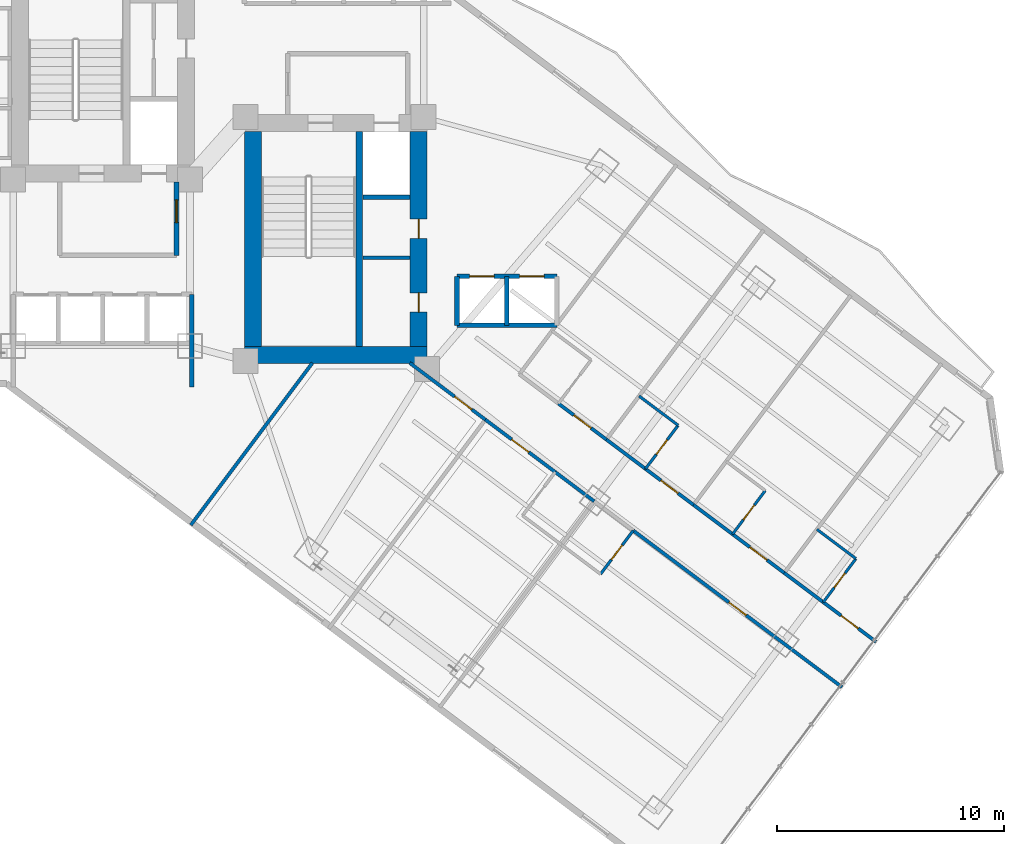
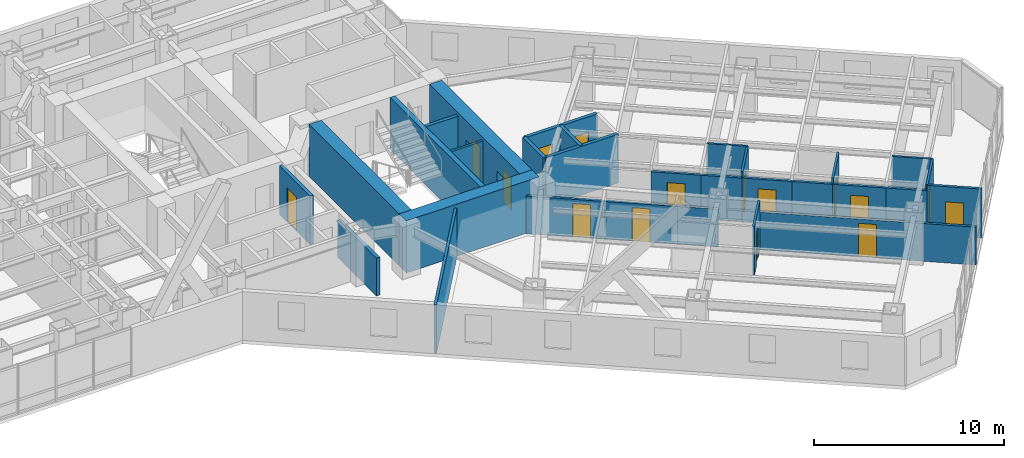
# One storey, part 24 of 33: 30 walls, 16 doors, 16 openings.
"""IFC4 building model written with IfcOpenShell, lengths in metres."""

from ifc_helpers import new_model, si_unit, direction, frame, frame_2d, origin, place, context, subcontext, project, spatial, rectangle, extrude, material, layer, layer_set, type_object, element, fill, save


model = new_model("IFC4")

# Units and contexts
model_context = context("Model", 3, precision=1e-05, world=origin(), true_north=direction((0.0, 1.0)))
body_context = subcontext(model_context, "Body", "Model", "MODEL_VIEW")
ifc_project = project(units=[si_unit("LENGTHUNIT", "METRE"), si_unit("AREAUNIT", "SQUARE_METRE"), si_unit("VOLUMEUNIT", "CUBIC_METRE"), si_unit("PLANEANGLEUNIT", "RADIAN"), si_unit("MASSUNIT", "GRAM", prefix="KILO")], contexts=[model_context])

# Site, building, storey
site_placement = place(None, origin())
site = spatial("IfcSite", under=ifc_project, at=site_placement, CompositionType="ELEMENT")
building_placement = place(site_placement, origin())
building = spatial("IfcBuilding", under=site, at=building_placement, Name="Hatsunagi Terrace Concourse", CompositionType="ELEMENT")
storey_placement = place(building_placement, frame((0.0, 0.0, 43.300048828125)))
storey = spatial("IfcBuildingStorey", under=building, at=storey_placement, Name="L10", CompositionType="ELEMENT", Elevation=43.300048828125)

# Walls
ifc_material_1 = material(Name="Concrete Fc60", Category="concrete")
ifc_layer_1 = layer(ifc_material_1, 0.75)
ifc_layer_set_1 = layer_set([ifc_layer_1], Name="CoreShearWall_Fc60_750")
wall_type_1 = type_object("IfcWallType", Name="CoreShearWall_Fc60_750", PredefinedType="SHEAR", material=ifc_layer_set_1)
wall_1_placement = place(storey_placement, frame((35.739990234375, 24.81494140625, 0.0), z_axis=(0.0, 0.0, 1.0), x_axis=(1.0, 0.0, 0.0)))
element("IfcWall", 1, at=wall_1_placement, inside=storey, type_object=wall_type_1, Name="Core B Shear Wall S L10", PredefinedType="SHEAR", context=body_context, shape_type="SweptSolid", body=[
    extrude(rectangle(XDim=8.06005859375, YDim=0.75, at=frame_2d((4.030029296875, 0.0))), origin(), (0.0, 0.0, 1.0), 3.349853515625),
])
wall_2_placement = place(storey_placement, frame((36.114990234375, 25.18994140625, 0.0), z_axis=(0.0, 0.0, 1.0), x_axis=(0.0, 1.0, 0.0)))
element("IfcWall", 2, at=wall_2_placement, inside=storey, type_object=wall_type_1, Name="Core B Shear Wall W L10", PredefinedType="SHEAR", context=body_context, shape_type="SweptSolid", body=[
    extrude(rectangle(XDim=9.47998046875, YDim=0.75, at=frame_2d((4.739990234375, 0.0))), origin(), (0.0, 0.0, 1.0), 3.349853515625),
])

# Wall, openings, doors
wall_3_placement = place(storey_placement, frame((43.425048828125, 25.18994140625, 0.0), z_axis=(0.0, 0.0, 1.0), x_axis=(0.0, 1.0, 0.0)))
wall_3 = element("IfcWall", 3, at=wall_3_placement, inside=storey, type_object=wall_type_1, Name="Core B Shear Wall E L10", PredefinedType="SHEAR", context=body_context, shape_type="SweptSolid", body=[
    extrude(rectangle(XDim=9.47998046875, YDim=0.75, at=frame_2d((4.739990234375, 0.0))), origin(), (0.0, 0.0, 1.0), 3.349853515625),
])
opening_1_placement = place(wall_3_placement, frame((1.510009765625, 0.0, 0.0)))
opening_1 = element("IfcOpeningElement", 4, at=opening_1_placement, cuts=wall_3, Name="Opening DR-085", PredefinedType="OPENING", context=body_context, shape_type="SweptSolid", body=[
    extrude(rectangle(XDim=0.85009765625, YDim=2.080078125, at=frame_2d((0.425048828125, 1.0400390625))), frame((0.0, 0.385009765625, 0.0), z_axis=(0.0, -1.0, 0.0), x_axis=(1.0, 0.0, 0.0)), (0.0, 0.0, 1.0), 0.77001953125),
])
opening_2_placement = place(wall_3_placement, frame((4.760009765625, 0.0, 0.0)))
opening_2 = element("IfcOpeningElement", 5, at=opening_2_placement, cuts=wall_3, Name="Opening DR-085", PredefinedType="OPENING", context=body_context, shape_type="SweptSolid", body=[
    extrude(rectangle(XDim=0.85009765625, YDim=2.080078125, at=frame_2d((0.425048828125, 1.0400390625))), frame((0.0, 0.385009765625, 0.0), z_axis=(0.0, -1.0, 0.0), x_axis=(1.0, 0.0, 0.0)), (0.0, 0.0, 1.0), 0.77001953125),
])
ifc_material_2 = material(Name="Painted steel", Category="steel")
door_type_1 = type_object("IfcDoorType", Name="RiserAccessDoor_EI60_850", OperationType="NOTDEFINED", PredefinedType="DOOR", material=ifc_material_2)
door_1_placement = place(opening_1_placement, origin())
door_1 = element("IfcDoor", 6, at=door_1_placement, inside=storey, type_object=door_type_1, Name="Core B Riser Door L10-1", OperationType="SINGLE_SWING_RIGHT", OverallHeight=2.080078125, OverallWidth=0.85009765625, PredefinedType="DOOR", context=body_context, shape_type="SweptSolid", body=[
    extrude(rectangle(XDim=0.85009765625, YDim=2.080078125, at=frame_2d((0.425048828125, 1.0400390625))), frame((0.0, 0.02490234375, 0.0), z_axis=(0.0, -1.0, 0.0), x_axis=(1.0, 0.0, 0.0)), (0.0, 0.0, 1.0), 0.050048828125),
])
fill(opening_1, door_1)
door_2_placement = place(opening_2_placement, origin())
door_2 = element("IfcDoor", 7, at=door_2_placement, inside=storey, type_object=door_type_1, Name="Core B Riser Door L10-2", OperationType="SINGLE_SWING_RIGHT", OverallHeight=2.080078125, OverallWidth=0.85009765625, PredefinedType="DOOR", context=body_context, shape_type="SweptSolid", body=[
    extrude(rectangle(XDim=0.85009765625, YDim=2.080078125, at=frame_2d((0.425048828125, 1.0400390625))), frame((0.0, 0.02490234375, 0.0), z_axis=(0.0, -1.0, 0.0), x_axis=(1.0, 0.0, 0.0)), (0.0, 0.0, 1.0), 0.050048828125),
])
fill(opening_2, door_2)

# Wall
ifc_material_3 = material(Name="Concrete Fc48", Category="concrete")
ifc_layer_2 = layer(ifc_material_3, 0.300048828125)
ifc_layer_set_2 = layer_set([ifc_layer_2], Name="CoreStairDivider_Fc48_300")
wall_type_2 = type_object("IfcWallType", Name="CoreStairDivider_Fc48_300", PredefinedType="SHEAR", material=ifc_layer_set_2)
wall_4_placement = place(storey_placement, frame((40.81005859375, 25.18994140625, 0.0), z_axis=(0.0, 0.0, 1.0), x_axis=(0.0, 1.0, 0.0)))
element("IfcWall", 8, at=wall_4_placement, inside=storey, type_object=wall_type_2, Name="Core B Shear Wall D L10", PredefinedType="SHEAR", context=body_context, shape_type="SweptSolid", body=[
    extrude(rectangle(XDim=9.47998046875, YDim=0.300048828125, at=frame_2d((4.739990234375, 0.0))), origin(), (0.0, 0.0, 1.0), 3.349853515625),
])

# Wall, opening, door
ifc_material_4 = material(Name="Acoustic mineral board", Category="gypsum")
ifc_layer_3 = layer(ifc_material_4, 0.1201171875)
ifc_layer_set_3 = layer_set([ifc_layer_3], Name="PartitionWall_EI30_120")
wall_type_3 = type_object("IfcWallType", Name="PartitionWall_EI30_120", PredefinedType="PARTITIONING", material=ifc_layer_set_3)
wall_5_placement = place(storey_placement, frame((53.429931640625, 19.7900390625, 0.0), z_axis=(0.0, 0.0, 1.0), x_axis=(0.600065100855, 0.79995117022, 0.0)))
wall_5 = element("IfcWall", 9, at=wall_5_placement, inside=storey, type_object=wall_type_3, Name="Interior Partition IW-L10-080", PredefinedType="PARTITIONING", context=body_context, shape_type="SweptSolid", body=[
    extrude(rectangle(XDim=2.400146484375, YDim=0.1201171875, at=frame_2d((1.2001953125, 0.0))), origin(), (0.0, 0.0, 1.0), 3.1298828125),
])
opening_3_placement = place(wall_5_placement, frame((0.800048828125, 0.0, 0.0)))
opening_3 = element("IfcOpeningElement", 10, at=opening_3_placement, cuts=wall_5, Name="Opening DR-080", PredefinedType="OPENING", context=body_context, shape_type="SweptSolid", body=[
    extrude(rectangle(XDim=0.800048828125, YDim=2.06005859375, at=frame_2d((0.39990234375, 1.030029296875))), frame((0.0, 0.070068359375, 0.0), z_axis=(0.0, -1.0, 0.0), x_axis=(1.0, 0.0, 0.0)), (0.0, 0.0, 1.0), 0.14013671875),
])
ifc_material_5 = material(Name="Hardwood timber", Category="wood")
door_type_2 = type_object("IfcDoorType", Name="BathroomDoor_800", OperationType="NOTDEFINED", PredefinedType="DOOR", material=ifc_material_5)
door_3_placement = place(opening_3_placement, origin())
door_3 = element("IfcDoor", 11, at=door_3_placement, inside=storey, type_object=door_type_2, Name="En-Suite Bathroom L10-SENE2 Door", OperationType="SINGLE_SWING_RIGHT", OverallHeight=2.06005859375, OverallWidth=0.800048828125, PredefinedType="DOOR", context=body_context, shape_type="SweptSolid", body=[
    extrude(rectangle(XDim=0.800048828125, YDim=2.06005859375, at=frame_2d((0.39990234375, 1.030029296875))), frame((0.0, 0.02490234375, 0.0), z_axis=(0.0, -1.0, 0.0), x_axis=(1.0, 0.0, 0.0)), (0.0, 0.0, 1.0), 0.050048828125),
])
fill(opening_3, door_3)

# Wall
wall_6_placement = place(storey_placement, frame((53.14990234375, 23.0, 0.0), z_axis=(0.0, 0.0, 1.0), x_axis=(0.800027249606, -0.599963665473, 0.0)))
element("IfcWall", 12, at=wall_6_placement, inside=storey, type_object=wall_type_3, Name="Interior Partition IW-L10-081", PredefinedType="PARTITIONING", context=body_context, shape_type="SweptSolid", body=[
    extrude(rectangle(XDim=2.150146484375, YDim=0.1201171875, at=frame_2d((1.0751953125, 0.0))), origin(), (0.0, 0.0, 1.0), 3.1298828125),
])

# Wall, opening, door
wall_7_placement = place(storey_placement, frame((57.27001953125, 16.909912109375, 0.0), z_axis=(0.0, 0.0, 1.0), x_axis=(0.599951172744, 0.800036618114, 0.0)))
wall_7 = element("IfcWall", 13, at=wall_7_placement, inside=storey, type_object=wall_type_3, Name="Interior Partition IW-L10-085", PredefinedType="PARTITIONING", context=body_context, shape_type="SweptSolid", body=[
    extrude(rectangle(XDim=2.400146484375, YDim=0.1201171875, at=frame_2d((1.2001953125, 0.0))), origin(), (0.0, 0.0, 1.0), 3.1298828125),
])
opening_4_placement = place(wall_7_placement, frame((0.800048828125, 0.0, 0.0)))
opening_4 = element("IfcOpeningElement", 14, at=opening_4_placement, cuts=wall_7, Name="Opening DR-080", PredefinedType="OPENING", context=body_context, shape_type="SweptSolid", body=[
    extrude(rectangle(XDim=0.800048828125, YDim=2.06005859375, at=frame_2d((0.39990234375, 1.030029296875))), frame((0.0, 0.070068359375, 0.0), z_axis=(0.0, -1.0, 0.0), x_axis=(1.0, 0.0, 0.0)), (0.0, 0.0, 1.0), 0.14013671875),
])
door_4_placement = place(opening_4_placement, origin())
door_4 = element("IfcDoor", 15, at=door_4_placement, inside=storey, type_object=door_type_2, Name="En-Suite Bathroom L10-SENE3 Door", OperationType="SINGLE_SWING_LEFT", OverallHeight=2.06005859375, OverallWidth=0.800048828125, PredefinedType="DOOR", context=body_context, shape_type="SweptSolid", body=[
    extrude(rectangle(XDim=0.800048828125, YDim=2.06005859375, at=frame_2d((0.39990234375, 1.030029296875))), frame((0.0, 0.02490234375, 0.0), z_axis=(0.0, -1.0, 0.0), x_axis=(1.0, 0.0, 0.0)), (0.0, 0.0, 1.0), 0.050048828125),
])
fill(opening_4, door_4)

wall_8_placement = place(storey_placement, frame((61.27001953125, 13.909912109375, 0.0), z_axis=(0.0, 0.0, 1.0), x_axis=(0.599951172744, 0.800036618114, 0.0)))
wall_8 = element("IfcWall", 16, at=wall_8_placement, inside=storey, type_object=wall_type_3, Name="Interior Partition IW-L10-090", PredefinedType="PARTITIONING", context=body_context, shape_type="SweptSolid", body=[
    extrude(rectangle(XDim=2.400146484375, YDim=0.1201171875, at=frame_2d((1.2001953125, 0.0))), origin(), (0.0, 0.0, 1.0), 3.1298828125),
])
opening_5_placement = place(wall_8_placement, frame((0.800048828125, 0.0, 0.0)))
opening_5 = element("IfcOpeningElement", 17, at=opening_5_placement, cuts=wall_8, Name="Opening DR-080", PredefinedType="OPENING", context=body_context, shape_type="SweptSolid", body=[
    extrude(rectangle(XDim=0.800048828125, YDim=2.06005859375, at=frame_2d((0.39990234375, 1.030029296875))), frame((0.0, 0.070068359375, 0.0), z_axis=(0.0, -1.0, 0.0), x_axis=(1.0, 0.0, 0.0)), (0.0, 0.0, 1.0), 0.14013671875),
])
door_5_placement = place(opening_5_placement, origin())
door_5 = element("IfcDoor", 18, at=door_5_placement, inside=storey, type_object=door_type_2, Name="En-Suite Bathroom L10-SENE4 Door", OperationType="SINGLE_SWING_RIGHT", OverallHeight=2.06005859375, OverallWidth=0.800048828125, PredefinedType="DOOR", context=body_context, shape_type="SweptSolid", body=[
    extrude(rectangle(XDim=0.800048828125, YDim=2.06005859375, at=frame_2d((0.39990234375, 1.030029296875))), frame((0.0, 0.02490234375, 0.0), z_axis=(0.0, -1.0, 0.0), x_axis=(1.0, 0.0, 0.0)), (0.0, 0.0, 1.0), 0.050048828125),
])
fill(opening_5, door_5)

# Wall
wall_9_placement = place(storey_placement, frame((60.989990234375, 17.1201171875, 0.0), z_axis=(0.0, 0.0, 1.0), x_axis=(0.79998637334, -0.60001816845, 0.0)))
element("IfcWall", 19, at=wall_9_placement, inside=storey, type_object=wall_type_3, Name="Interior Partition IW-L10-091", PredefinedType="PARTITIONING", context=body_context, shape_type="SweptSolid", body=[
    extrude(rectangle(XDim=2.14990234375, YDim=0.1201171875, at=frame_2d((1.074951171875, 0.0))), origin(), (0.0, 0.0, 1.0), 3.1298828125),
])

# Wall, opening, door
wall_10_placement = place(storey_placement, frame((51.449951171875, 15.14990234375, 0.0), z_axis=(0.0, 0.0, 1.0), x_axis=(0.599951172744, 0.800036618114, 0.0)))
wall_10 = element("IfcWall", 20, at=wall_10_placement, inside=storey, type_object=wall_type_3, Name="Interior Partition IW-L10-099", PredefinedType="PARTITIONING", context=body_context, shape_type="SweptSolid", body=[
    extrude(rectangle(XDim=2.400146484375, YDim=0.1201171875, at=frame_2d((1.2001953125, 0.0))), origin(), (0.0, 0.0, 1.0), 3.1298828125),
])
opening_6_placement = place(wall_10_placement, frame((0.800048828125, 0.0, 0.0)))
opening_6 = element("IfcOpeningElement", 21, at=opening_6_placement, cuts=wall_10, Name="Opening DR-080", PredefinedType="OPENING", context=body_context, shape_type="SweptSolid", body=[
    extrude(rectangle(XDim=0.800048828125, YDim=2.06005859375, at=frame_2d((0.39990234375, 1.030029296875))), frame((0.0, 0.070068359375, 0.0), z_axis=(0.0, -1.0, 0.0), x_axis=(1.0, 0.0, 0.0)), (0.0, 0.0, 1.0), 0.14013671875),
])
door_6_placement = place(opening_6_placement, origin())
door_6 = element("IfcDoor", 22, at=door_6_placement, inside=storey, type_object=door_type_2, Name="En-Suite Bathroom L10-SESW2 Door", OperationType="SINGLE_SWING_RIGHT", OverallHeight=2.06005859375, OverallWidth=0.800048828125, PredefinedType="DOOR", context=body_context, shape_type="SweptSolid", body=[
    extrude(rectangle(XDim=0.800048828125, YDim=2.06005859375, at=frame_2d((0.39990234375, 1.030029296875))), frame((0.0, 0.02490234375, 0.0), z_axis=(0.0, -1.0, 0.0), x_axis=(1.0, 0.0, 0.0)), (0.0, 0.0, 1.0), 0.050048828125),
])
fill(opening_6, door_6)

# Wall
ifc_material_6 = material(Name="Acoustic mineral board", Category="gypsum")
ifc_layer_4 = layer(ifc_material_6, 0.14990234375)
ifc_layer_set_4 = layer_set([ifc_layer_4], Name="PartitionWall_EI60_150")
wall_type_4 = type_object("IfcWallType", Name="PartitionWall_EI60_150", PredefinedType="PARTITIONING", material=ifc_layer_set_4)
wall_11_placement = place(storey_placement, frame((40.969970703125, 29.10009765625, 0.0), z_axis=(0.0, 0.0, 1.0), x_axis=(1.0, 0.0, 0.0)))
element("IfcWall", 23, at=wall_11_placement, inside=storey, type_object=wall_type_4, Name="Interior Partition IW-L10-005", PredefinedType="PARTITIONING", context=body_context, shape_type="SweptSolid", body=[
    extrude(rectangle(XDim=2.080078125, YDim=0.14990234375, at=frame_2d((1.0400390625, 0.0))), origin(), (0.0, 0.0, 1.0), 3.1298828125),
])

# Wall, opening, door
wall_12_placement = place(storey_placement, frame((43.037109375, 24.4599609375, 0.0), z_axis=(0.0, 0.0, 1.0), x_axis=(0.799971872363, -0.600037501685, 0.0)))
wall_12 = element("IfcWall", 24, at=wall_12_placement, inside=storey, type_object=wall_type_4, Name="Interior Partition IW-L10-042", PredefinedType="PARTITIONING", context=body_context, shape_type="SweptSolid", body=[
    extrude(rectangle(XDim=4.16650390625, YDim=0.14990234375, at=frame_2d((2.083251953125, 0.0))), origin(), (0.0, 0.0, 1.0), 2.425048828125),
])
opening_7_placement = place(wall_12_placement, frame((2.468017578125, 0.0, 0.0)))
opening_7 = element("IfcOpeningElement", 25, at=opening_7_placement, cuts=wall_12, Name="Opening DR-095", PredefinedType="OPENING", context=body_context, shape_type="SweptSolid", body=[
    extrude(rectangle(XDim=0.949951171875, YDim=2.14990234375, at=frame_2d((0.47509765625, 1.074951171875))), frame((0.0, 0.0849609375, 0.0), z_axis=(0.0, -1.0, 0.0), x_axis=(1.0, 0.0, 0.0)), (0.0, 0.0, 1.0), 0.169921875),
])
ifc_material_7 = material(Name="Hardwood timber", Category="wood")
door_type_3 = type_object("IfcDoorType", Name="InteriorSuiteDoor_EI30_950", OperationType="NOTDEFINED", PredefinedType="DOOR", material=ifc_material_7)
door_7_placement = place(opening_7_placement, origin())
door_7 = element("IfcDoor", 26, at=door_7_placement, inside=storey, type_object=door_type_3, Name="Meeting Room L10-HMTG Door", OperationType="SINGLE_SWING_RIGHT", OverallHeight=2.14990234375, OverallWidth=0.949951171875, PredefinedType="DOOR", context=body_context, shape_type="SweptSolid", body=[
    extrude(rectangle(XDim=0.949951171875, YDim=2.14990234375, at=frame_2d((0.47509765625, 1.074951171875))), frame((0.0, 0.02490234375, 0.0), z_axis=(0.0, -1.0, 0.0), x_axis=(1.0, 0.0, 0.0)), (0.0, 0.0, 1.0), 0.050048828125),
])
fill(opening_7, door_7)

# Wall
wall_13_placement = place(storey_placement, frame((33.384033203125, 17.31201171875, 0.0), z_axis=(0.0, 0.0, 1.0), x_axis=(0.600008743659, 0.799993442181, 0.0)))
element("IfcWall", 27, at=wall_13_placement, inside=storey, type_object=wall_type_4, Name="Interior Partition IW-L10-043", PredefinedType="PARTITIONING", context=body_context, shape_type="SweptSolid", body=[
    extrude(rectangle(XDim=8.93505859375, YDim=0.14990234375, at=frame_2d((4.467529296875, 0.0))), origin(), (0.0, 0.0, 1.0), 3.1298828125),
])

# Wall, opening, door
wall_14_placement = place(storey_placement, frame((49.590087890625, 22.669921875, 0.0), z_axis=(0.0, 0.0, 1.0), x_axis=(0.800011056104, -0.599985258246, 0.0)))
wall_14 = element("IfcWall", 28, at=wall_14_placement, inside=storey, type_object=wall_type_4, Name="Interior Partition IW-L10-073", PredefinedType="PARTITIONING", context=body_context, shape_type="SweptSolid", body=[
    extrude(rectangle(XDim=2.64990234375, YDim=0.14990234375, at=frame_2d((1.324951171875, 0.0))), origin(), (0.0, 0.0, 1.0), 2.77490234375),
])
opening_8_placement = place(wall_14_placement, frame((0.85009765625, 0.0, 0.0)))
opening_8 = element("IfcOpeningElement", 29, at=opening_8_placement, cuts=wall_14, Name="Opening DR-095", PredefinedType="OPENING", context=body_context, shape_type="SweptSolid", body=[
    extrude(rectangle(XDim=0.949951171875, YDim=2.14990234375, at=frame_2d((0.47509765625, 1.074951171875))), frame((0.0, 0.0849609375, 0.0), z_axis=(0.0, -1.0, 0.0), x_axis=(1.0, 0.0, 0.0)), (0.0, 0.0, 1.0), 0.169921875),
])
door_8_placement = place(opening_8_placement, origin())
door_8 = element("IfcDoor", 30, at=door_8_placement, inside=storey, type_object=door_type_3, Name="Hotel Guest Room L10-SENE1 Door", OperationType="SINGLE_SWING_LEFT", OverallHeight=2.14990234375, OverallWidth=0.949951171875, PredefinedType="DOOR", context=body_context, shape_type="SweptSolid", body=[
    extrude(rectangle(XDim=0.949951171875, YDim=2.14990234375, at=frame_2d((0.47509765625, 1.074951171875))), frame((0.0, 0.02490234375, 0.0), z_axis=(0.0, -1.0, 0.0), x_axis=(1.0, 0.0, 0.0)), (0.0, 0.0, 1.0), 0.050048828125),
])
fill(opening_8, door_8)

# Wall
wall_15_placement = place(storey_placement, frame((51.7099609375, 21.080078125, 0.0), z_axis=(0.0, 0.0, 1.0), x_axis=(0.79998637334, -0.60001816845, 0.0)))
element("IfcWall", 31, at=wall_15_placement, inside=storey, type_object=wall_type_4, Name="Interior Partition IW-L10-078", PredefinedType="PARTITIONING", context=body_context, shape_type="SweptSolid", body=[
    extrude(rectangle(XDim=2.14990234375, YDim=0.14990234375, at=frame_2d((1.074951171875, 0.0))), origin(), (0.0, 0.0, 1.0), 2.77490234375),
])

# Wall, opening, door
wall_16_placement = place(storey_placement, frame((53.429931640625, 19.7900390625, 0.0), z_axis=(0.0, 0.0, 1.0), x_axis=(0.8, -0.6, 0.0)))
wall_16 = element("IfcWall", 32, at=wall_16_placement, inside=storey, type_object=wall_type_4, Name="Interior Partition IW-L10-079", PredefinedType="PARTITIONING", context=body_context, shape_type="SweptSolid", body=[
    extrude(rectangle(XDim=2.650146484375, YDim=0.14990234375, at=frame_2d((1.3251953125, 0.0))), origin(), (0.0, 0.0, 1.0), 2.77490234375),
])
opening_9_placement = place(wall_16_placement, frame((0.85009765625, 0.0, 0.0)))
opening_9 = element("IfcOpeningElement", 33, at=opening_9_placement, cuts=wall_16, Name="Opening DR-095", PredefinedType="OPENING", context=body_context, shape_type="SweptSolid", body=[
    extrude(rectangle(XDim=0.949951171875, YDim=2.14990234375, at=frame_2d((0.47509765625, 1.074951171875))), frame((0.0, 0.0849609375, 0.0), z_axis=(0.0, -1.0, 0.0), x_axis=(1.0, 0.0, 0.0)), (0.0, 0.0, 1.0), 0.169921875),
])
door_9_placement = place(opening_9_placement, origin())
door_9 = element("IfcDoor", 34, at=door_9_placement, inside=storey, type_object=door_type_3, Name="Hotel Guest Room L10-SENE2 Door", OperationType="SINGLE_SWING_LEFT", OverallHeight=2.14990234375, OverallWidth=0.949951171875, PredefinedType="DOOR", context=body_context, shape_type="SweptSolid", body=[
    extrude(rectangle(XDim=0.949951171875, YDim=2.14990234375, at=frame_2d((0.47509765625, 1.074951171875))), frame((0.0, 0.02490234375, 0.0), z_axis=(0.0, -1.0, 0.0), x_axis=(1.0, 0.0, 0.0)), (0.0, 0.0, 1.0), 0.050048828125),
])
fill(opening_9, door_9)

# Wall
wall_17_placement = place(storey_placement, frame((55.550048828125, 18.199951171875, 0.0), z_axis=(0.0, 0.0, 1.0), x_axis=(0.79998637334, -0.60001816845, 0.0)))
element("IfcWall", 35, at=wall_17_placement, inside=storey, type_object=wall_type_4, Name="Interior Partition IW-L10-083", PredefinedType="PARTITIONING", context=body_context, shape_type="SweptSolid", body=[
    extrude(rectangle(XDim=2.14990234375, YDim=0.14990234375, at=frame_2d((1.074951171875, 0.0))), origin(), (0.0, 0.0, 1.0), 2.77490234375),
])

# Wall, opening, door
wall_18_placement = place(storey_placement, frame((57.27001953125, 16.909912109375, 0.0), z_axis=(0.0, 0.0, 1.0), x_axis=(0.800010279488, -0.599986293772, 0.0)))
wall_18 = element("IfcWall", 36, at=wall_18_placement, inside=storey, type_object=wall_type_4, Name="Interior Partition IW-L10-084", PredefinedType="PARTITIONING", context=body_context, shape_type="SweptSolid", body=[
    extrude(rectangle(XDim=2.85009765625, YDim=0.14990234375, at=frame_2d((1.425048828125, 0.0))), origin(), (0.0, 0.0, 1.0), 2.77490234375),
])
opening_10_placement = place(wall_18_placement, frame((0.949951171875, 0.0, 0.0)))
opening_10 = element("IfcOpeningElement", 37, at=opening_10_placement, cuts=wall_18, Name="Opening DR-095", PredefinedType="OPENING", context=body_context, shape_type="SweptSolid", body=[
    extrude(rectangle(XDim=0.949951171875, YDim=2.14990234375, at=frame_2d((0.47509765625, 1.074951171875))), frame((0.0, 0.0849609375, 0.0), z_axis=(0.0, -1.0, 0.0), x_axis=(1.0, 0.0, 0.0)), (0.0, 0.0, 1.0), 0.169921875),
])
door_10_placement = place(opening_10_placement, origin())
door_10 = element("IfcDoor", 38, at=door_10_placement, inside=storey, type_object=door_type_3, Name="Hotel Guest Room L10-SENE3 Door", OperationType="SINGLE_SWING_LEFT", OverallHeight=2.14990234375, OverallWidth=0.949951171875, PredefinedType="DOOR", context=body_context, shape_type="SweptSolid", body=[
    extrude(rectangle(XDim=0.949951171875, YDim=2.14990234375, at=frame_2d((0.47509765625, 1.074951171875))), frame((0.0, 0.02490234375, 0.0), z_axis=(0.0, -1.0, 0.0), x_axis=(1.0, 0.0, 0.0)), (0.0, 0.0, 1.0), 0.050048828125),
])
fill(opening_10, door_10)

# Wall
wall_19_placement = place(storey_placement, frame((59.550048828125, 15.199951171875, 0.0), z_axis=(0.0, 0.0, 1.0), x_axis=(0.79998637334, -0.60001816845, 0.0)))
element("IfcWall", 39, at=wall_19_placement, inside=storey, type_object=wall_type_4, Name="Interior Partition IW-L10-088", PredefinedType="PARTITIONING", context=body_context, shape_type="SweptSolid", body=[
    extrude(rectangle(XDim=2.14990234375, YDim=0.14990234375, at=frame_2d((1.074951171875, 0.0))), origin(), (0.0, 0.0, 1.0), 2.77490234375),
])

# Wall, opening, door
wall_20_placement = place(storey_placement, frame((61.27001953125, 13.909912109375, 0.0), z_axis=(0.0, 0.0, 1.0), x_axis=(0.800010068184, -0.59998657552, 0.0)))
wall_20 = element("IfcWall", 40, at=wall_20_placement, inside=storey, type_object=wall_type_4, Name="Interior Partition IW-L10-089", PredefinedType="PARTITIONING", context=body_context, shape_type="SweptSolid", body=[
    extrude(rectangle(XDim=2.909912109375, YDim=0.14990234375, at=frame_2d((1.455078125, 0.0))), origin(), (0.0, 0.0, 1.0), 3.1298828125),
])
opening_11_placement = place(wall_20_placement, frame((0.97998046875, 0.0, 0.0)))
opening_11 = element("IfcOpeningElement", 41, at=opening_11_placement, cuts=wall_20, Name="Opening DR-095", PredefinedType="OPENING", context=body_context, shape_type="SweptSolid", body=[
    extrude(rectangle(XDim=0.949951171875, YDim=2.14990234375, at=frame_2d((0.47509765625, 1.074951171875))), frame((0.0, 0.0849609375, 0.0), z_axis=(0.0, -1.0, 0.0), x_axis=(1.0, 0.0, 0.0)), (0.0, 0.0, 1.0), 0.169921875),
])
door_11_placement = place(opening_11_placement, origin())
door_11 = element("IfcDoor", 42, at=door_11_placement, inside=storey, type_object=door_type_3, Name="Hotel Guest Room L10-SENE4 Door", OperationType="SINGLE_SWING_LEFT", OverallHeight=2.14990234375, OverallWidth=0.949951171875, PredefinedType="DOOR", context=body_context, shape_type="SweptSolid", body=[
    extrude(rectangle(XDim=0.949951171875, YDim=2.14990234375, at=frame_2d((0.47509765625, 1.074951171875))), frame((0.0, 0.02490234375, 0.0), z_axis=(0.0, -1.0, 0.0), x_axis=(1.0, 0.0, 0.0)), (0.0, 0.0, 1.0), 0.050048828125),
])
fill(opening_11, door_11)

wall_21_placement = place(storey_placement, frame((46.3701171875, 21.9599609375, 0.0), z_axis=(0.0, 0.0, 1.0), x_axis=(0.799977170108, -0.600030438649, 0.0)))
wall_21 = element("IfcWall", 43, at=wall_21_placement, inside=storey, type_object=wall_type_4, Name="Interior Partition IW-L10-092", PredefinedType="PARTITIONING", context=body_context, shape_type="SweptSolid", body=[
    extrude(rectangle(XDim=3.849853515625, YDim=0.14990234375, at=frame_2d((1.9248046875, 0.0))), origin(), (0.0, 0.0, 1.0), 2.425048828125),
])
opening_12_placement = place(wall_21_placement, frame((1.449951171875, 0.0, 0.0)))
opening_12 = element("IfcOpeningElement", 44, at=opening_12_placement, cuts=wall_21, Name="Opening DR-095", PredefinedType="OPENING", context=body_context, shape_type="SweptSolid", body=[
    extrude(rectangle(XDim=0.949951171875, YDim=2.14990234375, at=frame_2d((0.47509765625, 1.074951171875))), frame((0.0, 0.0849609375, 0.0), z_axis=(0.0, -1.0, 0.0), x_axis=(1.0, 0.0, 0.0)), (0.0, 0.0, 1.0), 0.169921875),
])
door_12_placement = place(opening_12_placement, origin())
door_12 = element("IfcDoor", 45, at=door_12_placement, inside=storey, type_object=door_type_3, Name="Hotel Guest Room L10-SESW1 Door", OperationType="SINGLE_SWING_RIGHT", OverallHeight=2.14990234375, OverallWidth=0.949951171875, PredefinedType="DOOR", context=body_context, shape_type="SweptSolid", body=[
    extrude(rectangle(XDim=0.949951171875, YDim=2.14990234375, at=frame_2d((0.47509765625, 1.074951171875))), frame((0.0, 0.02490234375, 0.0), z_axis=(0.0, -1.0, 0.0), x_axis=(1.0, 0.0, 0.0)), (0.0, 0.0, 1.0), 0.050048828125),
])
fill(opening_12, door_12)

# Wall
wall_22_placement = place(storey_placement, frame((49.449951171875, 19.64990234375, 0.0), z_axis=(0.0, 0.0, 1.0), x_axis=(0.800040880289, -0.59994548908, 0.0)))
element("IfcWall", 46, at=wall_22_placement, inside=storey, type_object=wall_type_4, Name="Interior Partition IW-L10-093", PredefinedType="PARTITIONING", context=body_context, shape_type="SweptSolid", body=[
    extrude(rectangle(XDim=2.14990234375, YDim=0.14990234375, at=frame_2d((1.074951171875, 0.0))), origin(), (0.0, 0.0, 1.0), 2.425048828125),
])

# Wall, opening, door
wall_23_placement = place(storey_placement, frame((52.889892578125, 17.070068359375, 0.0), z_axis=(0.0, 0.0, 1.0), x_axis=(0.8, -0.6, 0.0)))
wall_23 = element("IfcWall", 47, at=wall_23_placement, inside=storey, type_object=wall_type_4, Name="Interior Partition IW-L10-098", PredefinedType="PARTITIONING", context=body_context, shape_type="SweptSolid", body=[
    extrude(rectangle(XDim=11.510009765625, YDim=0.14990234375, at=frame_2d((5.7548828125, 0.0))), origin(), (0.0, 0.0, 1.0), 2.425048828125),
])
opening_13_placement = place(wall_23_placement, frame((5.280029296875, 0.0, 0.0)))
opening_13 = element("IfcOpeningElement", 48, at=opening_13_placement, cuts=wall_23, Name="Opening DR-095", PredefinedType="OPENING", context=body_context, shape_type="SweptSolid", body=[
    extrude(rectangle(XDim=0.949951171875, YDim=2.14990234375, at=frame_2d((0.47509765625, 1.074951171875))), frame((0.0, 0.0849609375, 0.0), z_axis=(0.0, -1.0, 0.0), x_axis=(1.0, 0.0, 0.0)), (0.0, 0.0, 1.0), 0.169921875),
])
door_13_placement = place(opening_13_placement, origin())
door_13 = element("IfcDoor", 49, at=door_13_placement, inside=storey, type_object=door_type_3, Name="Corner Hotel Suite L10-SESW2 Door", OperationType="SINGLE_SWING_RIGHT", OverallHeight=2.14990234375, OverallWidth=0.949951171875, PredefinedType="DOOR", context=body_context, shape_type="SweptSolid", body=[
    extrude(rectangle(XDim=0.949951171875, YDim=2.14990234375, at=frame_2d((0.47509765625, 1.074951171875))), frame((0.0, 0.02490234375, 0.0), z_axis=(0.0, -1.0, 0.0), x_axis=(1.0, 0.0, 0.0)), (0.0, 0.0, 1.0), 0.050048828125),
])
fill(opening_13, door_13)

# Wall
ifc_material_8 = material(Name="Acoustic mineral board", Category="gypsum")
ifc_layer_5 = layer(ifc_material_8, 0.199951171875)
ifc_layer_set_5 = layer_set([ifc_layer_5], Name="ShaftWall_EI120_200")
wall_type_5 = type_object("IfcWallType", Name="ShaftWall_EI120_200", PredefinedType="STANDARD", material=ifc_layer_set_5)
wall_24_placement = place(storey_placement, frame((40.969970703125, 31.760009765625, 0.0), z_axis=(0.0, 0.0, 1.0), x_axis=(1.0, 0.0, 0.0)))
element("IfcWall", 50, at=wall_24_placement, inside=storey, type_object=wall_type_5, Name="Interior Partition IW-L10-004", PredefinedType="STANDARD", context=body_context, shape_type="SweptSolid", body=[
    extrude(rectangle(XDim=2.080078125, YDim=0.199951171875, at=frame_2d((1.0400390625, 0.0))), origin(), (0.0, 0.0, 1.0), 3.1298828125),
])

# Wall, opening, door
wall_25_placement = place(storey_placement, frame((32.75, 29.199951171875, 0.0), z_axis=(0.0, 0.0, 1.0), x_axis=(0.0, 1.0, 0.0)))
wall_25 = element("IfcWall", 51, at=wall_25_placement, inside=storey, type_object=wall_type_5, Name="Interior Partition IW-L10-008", PredefinedType="STANDARD", context=body_context, shape_type="SweptSolid", body=[
    extrude(rectangle(XDim=3.239990234375, YDim=0.199951171875, at=frame_2d((1.6201171875, 0.0))), origin(), (0.0, 0.0, 1.0), 3.1298828125),
])
opening_14_placement = place(wall_25_placement, frame((1.449951171875, 0.0, 0.0)))
opening_14 = element("IfcOpeningElement", 52, at=opening_14_placement, cuts=wall_25, Name="Opening DR-100F", PredefinedType="OPENING", context=body_context, shape_type="SweptSolid", body=[
    extrude(rectangle(XDim=1.0, YDim=2.199951171875, at=frame_2d((0.5, 1.10009765625))), frame((0.0, 0.10986328125, 0.0), z_axis=(0.0, -1.0, 0.0), x_axis=(1.0, 0.0, 0.0)), (0.0, 0.0, 1.0), 0.219970703125),
])
ifc_material_9 = material(Name="Painted steel", Category="steel")
door_type_4 = type_object("IfcDoorType", Name="FireDoor_EI60_1000", OperationType="NOTDEFINED", PredefinedType="DOOR", material=ifc_material_9)
door_14_placement = place(opening_14_placement, origin())
door_14 = element("IfcDoor", 53, at=door_14_placement, inside=storey, type_object=door_type_4, Name="Firefighting Lobby A Door L10", OperationType="SINGLE_SWING_RIGHT", OverallHeight=2.199951171875, OverallWidth=1.0, PredefinedType="DOOR", context=body_context, shape_type="SweptSolid", body=[
    extrude(rectangle(XDim=1.0, YDim=2.199951171875, at=frame_2d((0.5, 1.10009765625))), frame((0.0, 0.02490234375, 0.0), z_axis=(0.0, -1.0, 0.0), x_axis=(1.0, 0.0, 0.0)), (0.0, 0.0, 1.0), 0.050048828125),
])
fill(opening_14, door_14)

# Walls
wall_26_placement = place(storey_placement, frame((33.429931640625, 23.39990234375, 0.0), z_axis=(0.0, 0.0, 1.0), x_axis=(0.0, 1.0, 0.0)))
element("IfcWall", 54, at=wall_26_placement, inside=storey, type_object=wall_type_5, Name="Interior Partition IW-L10-013", PredefinedType="STANDARD", context=body_context, shape_type="SweptSolid", body=[
    extrude(rectangle(XDim=4.080078125, YDim=0.199951171875, at=frame_2d((2.0400390625, 0.0))), origin(), (0.0, 0.0, 1.0), 2.425048828125),
])
wall_27_placement = place(storey_placement, frame((45.1201171875, 26.1201171875, 0.0), z_axis=(0.0, 0.0, 1.0), x_axis=(1.0, 0.0, 0.0)))
element("IfcWall", 55, at=wall_27_placement, inside=storey, type_object=wall_type_5, Name="Interior Partition IW-L10-025", PredefinedType="STANDARD", context=body_context, shape_type="SweptSolid", body=[
    extrude(rectangle(XDim=4.39990234375, YDim=0.199951171875, at=frame_2d((2.199951171875, 0.0))), origin(), (0.0, 0.0, 1.0), 3.1298828125),
])
for number, where, z_axis, x_axis, name in (
    (56, (45.1201171875, 26.1201171875, 0.0), (0.0, 0.0, 1.0), (0.0, 1.0, 0.0), "Interior Partition IW-L10-026"),
    (57, (47.320068359375, 26.1201171875, 0.0), (0.0, 0.0, 1.0), (0.0, 1.0, 0.0), "Interior Partition IW-L10-028"),
):
    element("IfcWall", number, at=place(storey_placement, frame(where, z_axis=z_axis, x_axis=x_axis)), inside=storey, type_object=wall_type_5, Name=name, PredefinedType="STANDARD", context=body_context, shape_type="SweptSolid", body=[
        extrude(rectangle(XDim=2.159912109375, YDim=0.199951171875, at=frame_2d((1.080078125, 0.0))), origin(), (0.0, 0.0, 1.0), 3.1298828125),
    ])

# Wall, openings, doors
wall_28_placement = place(storey_placement, frame((45.1201171875, 28.280029296875, 0.0), z_axis=(0.0, 0.0, 1.0), x_axis=(1.0, 0.0, 0.0)))
wall_28 = element("IfcWall", 58, at=wall_28_placement, inside=storey, type_object=wall_type_5, Name="Interior Partition IW-L10-029", PredefinedType="STANDARD", context=body_context, shape_type="SweptSolid", body=[
    extrude(rectangle(XDim=4.39990234375, YDim=0.199951171875, at=frame_2d((2.199951171875, 0.0))), origin(), (0.0, 0.0, 1.0), 3.1298828125),
])
opening_15_placement = place(wall_28_placement, frame((0.56005859375, 0.0, 0.0)))
opening_15 = element("IfcOpeningElement", 59, at=opening_15_placement, cuts=wall_28, Name="Opening LD-03", PredefinedType="OPENING", context=body_context, shape_type="SweptSolid", body=[
    extrude(rectangle(XDim=1.080078125, YDim=2.14990234375, at=frame_2d((0.5400390625, 1.074951171875))), frame((0.0, 0.10986328125, 0.0), z_axis=(0.0, -1.0, 0.0), x_axis=(1.0, 0.0, 0.0)), (0.0, 0.0, 1.0), 0.219970703125),
])
opening_16_placement = place(wall_28_placement, frame((2.760009765625, 0.0, 0.0)))
opening_16 = element("IfcOpeningElement", 60, at=opening_16_placement, cuts=wall_28, Name="Opening LD-03", PredefinedType="OPENING", context=body_context, shape_type="SweptSolid", body=[
    extrude(rectangle(XDim=1.080078125, YDim=2.14990234375, at=frame_2d((0.5400390625, 1.074951171875))), frame((0.0, 0.10986328125, 0.0), z_axis=(0.0, -1.0, 0.0), x_axis=(1.0, 0.0, 0.0)), (0.0, 0.0, 1.0), 0.219970703125),
])
ifc_material_10 = material(Name="Stainless steel", Category="steel")
door_type_5 = type_object("IfcDoorType", Name="LiftLandingDoor_LD03", OperationType="SLIDING_TO_LEFT", PredefinedType="USERDEFINED", material=ifc_material_10)
door_15_placement = place(opening_15_placement, origin())
door_15 = element("IfcDoor", 61, at=door_15_placement, inside=storey, type_object=door_type_5, Name="Lift landing door PL-09 L10", ObjectType="SLIDING_LANDING_DOOR", OperationType="SLIDING_TO_LEFT", OverallHeight=2.14990234375, OverallWidth=1.080078125, PredefinedType="USERDEFINED", context=body_context, shape_type="SweptSolid", body=[
    extrude(rectangle(XDim=1.080078125, YDim=2.14990234375, at=frame_2d((0.5400390625, 1.074951171875))), frame((0.0, 0.02490234375, 0.0), z_axis=(0.0, -1.0, 0.0), x_axis=(1.0, 0.0, 0.0)), (0.0, 0.0, 1.0), 0.050048828125),
])
fill(opening_15, door_15)
door_16_placement = place(opening_16_placement, origin())
door_16 = element("IfcDoor", 62, at=door_16_placement, inside=storey, type_object=door_type_5, Name="Lift landing door PL-10 L10", ObjectType="SLIDING_LANDING_DOOR", OperationType="SLIDING_TO_LEFT", OverallHeight=2.14990234375, OverallWidth=1.080078125, PredefinedType="USERDEFINED", context=body_context, shape_type="SweptSolid", body=[
    extrude(rectangle(XDim=1.080078125, YDim=2.14990234375, at=frame_2d((0.5400390625, 1.074951171875))), frame((0.0, 0.02490234375, 0.0), z_axis=(0.0, -1.0, 0.0), x_axis=(1.0, 0.0, 0.0)), (0.0, 0.0, 1.0), 0.050048828125),
])
fill(opening_16, door_16)

save(model, "model.ifc")
